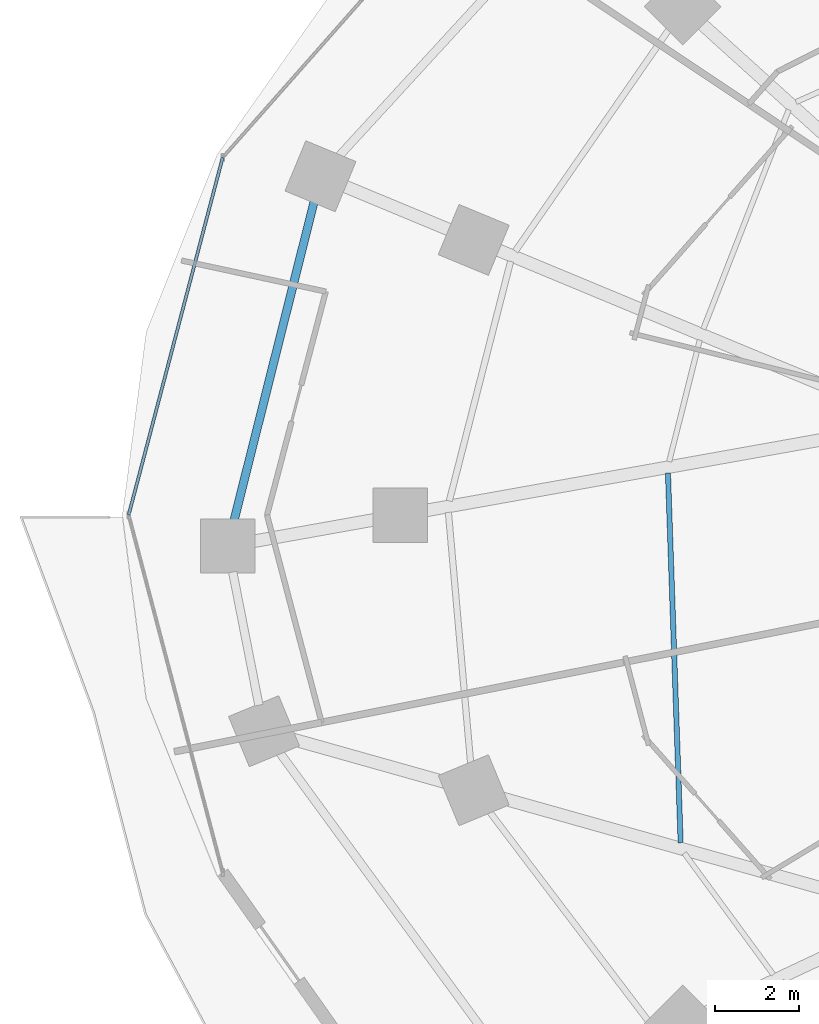
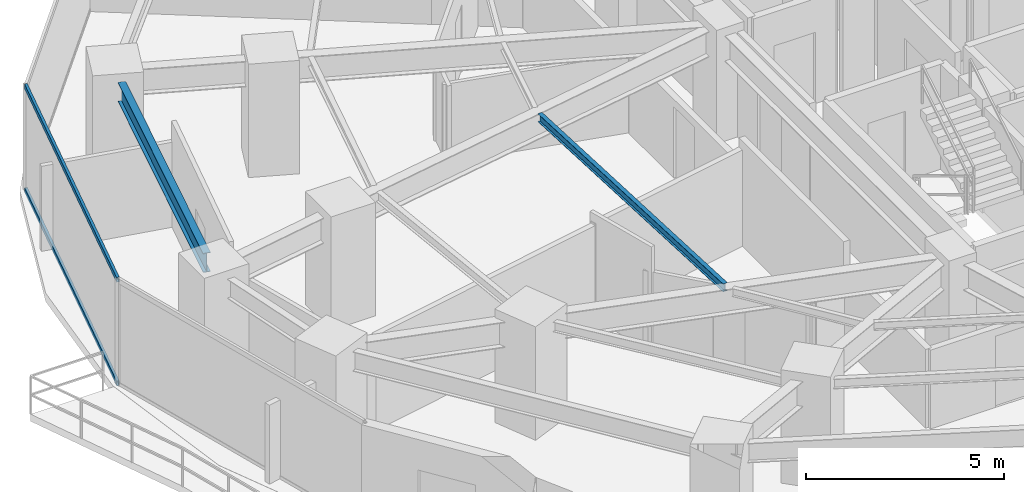
# One storey, part 8 of 33: 2 beams, 2 members, 1 element without a shape of its own.
"""IFC4 building model written with IfcOpenShell, lengths in metres."""

from ifc_helpers import new_model, si_unit, direction, frame, origin, origin_2d, place, context, subcontext, project, spatial, hollow_rectangle, i_section, extrude, material, material_profile, profile_set, type_object, element, aggregate, save


model = new_model("IFC4")

# Units and contexts
model_context = context("Model", 3, precision=1e-05, world=origin(), true_north=direction((0.0, 1.0)))
body_context = subcontext(model_context, "Body", "Model", "MODEL_VIEW")
ifc_project = project(units=[si_unit("LENGTHUNIT", "METRE"), si_unit("AREAUNIT", "SQUARE_METRE"), si_unit("VOLUMEUNIT", "CUBIC_METRE"), si_unit("PLANEANGLEUNIT", "RADIAN"), si_unit("MASSUNIT", "GRAM", prefix="KILO")], contexts=[model_context])

# Site, building, storey
site_placement = place(None, origin())
site = spatial("IfcSite", under=ifc_project, at=site_placement, CompositionType="ELEMENT")
building_placement = place(site_placement, origin())
building = spatial("IfcBuilding", under=site, at=building_placement, Name="Vorneva Point Tower", CompositionType="ELEMENT")
storey_placement = place(building_placement, frame((0.0, 0.0, 38.0)))
storey = spatial("IfcBuildingStorey", under=building, at=storey_placement, Name="L09", CompositionType="ELEMENT", Elevation=38.0)

# Beams
ifc_material_1 = material(Name="Steel S355", Category="steel")
ifc_material_profile_1 = material_profile(ifc_material_1, i_section(OverallWidth=0.1240234375, OverallDepth=0.248046875, WebThickness=0.0048828125, FlangeThickness=0.008056640625, at=origin_2d()), Name="25B1")
ifc_profile_set_1 = profile_set([ifc_material_profile_1], Name="Steel S355")
beam_type_1 = type_object("IfcBeamType", Name="BM-JST-25B1", PredefinedType="JOIST", material=ifc_profile_set_1)
beam_1_placement = place(storey_placement, frame((21.35107421875, 27.006103515625, 3.115966796875), z_axis=(0.034290300596, -0.99941191472, 0.0), x_axis=(0.99941191472, 0.034290300596, 0.0)))
element("IfcBeam", 1, at=beam_1_placement, inside=storey, type_object=beam_type_1, Name="L09 Secondary Floor Beam 2.09", PredefinedType="JOIST", context=body_context, shape_type="SweptSolid", body=[
    extrude(i_section(OverallWidth=0.1240234375, OverallDepth=0.248046875, WebThickness=0.0048828125, FlangeThickness=0.008056640625, at=origin_2d()), origin(), (0.0, 0.0, 1.0), 8.849853515625),
])
ifc_material_profile_2 = material_profile(ifc_material_1, i_section(OverallWidth=0.198974609375, OverallDepth=0.595947265625, WebThickness=0.010009765625, FlangeThickness=0.014892578125, at=origin_2d()), Name="60B1")
ifc_profile_set_2 = profile_set([ifc_material_profile_2], Name="Steel S355")
beam_type_2 = type_object("IfcBeamType", Name="BM-SPN-60B1", PredefinedType="SPANDREL", material=ifc_profile_set_2)
beam_2_placement = place(storey_placement, frame((12.884521484375, 33.489501953125, 2.94189453125), z_axis=(-0.243574722416, -0.969882134385, 0.0), x_axis=(0.969882134385, -0.243574722416, 0.0)))
element("IfcBeam", 2, at=beam_2_placement, inside=storey, type_object=beam_type_2, Name="L09 Perimeter Spandrel Ring Beam 08", PredefinedType="SPANDREL", context=body_context, shape_type="SweptSolid", body=[
    extrude(i_section(OverallWidth=0.198974609375, OverallDepth=0.595947265625, WebThickness=0.010009765625, FlangeThickness=0.014892578125, at=origin_2d()), origin(), (0.0, 0.0, 1.0), 7.84912109375),
])

# Curtain wall, members
ifc_material_2 = material(Name="Pale anodised aluminium", Category="aluminium")
curtain_wall_type = type_object("IfcCurtainWallType", Name="CW-HTL-SYS", PredefinedType="NOTDEFINED", material=ifc_material_2)
curtain_wall_placement = place(storey_placement, origin())
curtain_wall = element("IfcCurtainWall", 3, at=curtain_wall_placement, inside=storey, type_object=curtain_wall_type, Name="L09 Unitised Curtain Wall CW-L09-R03", PredefinedType="NOTDEFINED")
ifc_material_profile_3 = material_profile(ifc_material_2, hollow_rectangle(XDim=0.074951171875, YDim=0.14990234375, WallThickness=0.00390625, at=origin_2d()), Name="AL-TRN 150x75x4")
ifc_profile_set_3 = profile_set([ifc_material_profile_3], Name="Pale anodised aluminium")
member_type = type_object("IfcMemberType", Name="CW-TRN-150", PredefinedType="USERDEFINED", material=ifc_profile_set_3)
member_1_placement = place(storey_placement, frame((10.699462890625, 34.552978515625, 0.02001953125), z_axis=(-0.254358772746, -0.967109928978, 0.0), x_axis=(0.967109928978, -0.254358772746, 0.0)))
member_1 = element("IfcMember", 4, at=member_1_placement, type_object=member_type, Name="CW-L09-R03 Transom 02.1", ObjectType="TRANSOM", PredefinedType="USERDEFINED", context=body_context, shape_type="SweptSolid", body=[
    extrude(hollow_rectangle(XDim=0.074951171875, YDim=0.14990234375, WallThickness=0.00390625, at=origin_2d()), origin(), (0.0, 0.0, 1.0), 8.84375),
])
member_2_placement = place(storey_placement, frame((10.699462890625, 34.552978515625, 3.219970703125), z_axis=(-0.254358772746, -0.967109928978, 0.0), x_axis=(0.967109928978, -0.254358772746, 0.0)))
member_2 = element("IfcMember", 5, at=member_2_placement, type_object=member_type, Name="CW-L09-R03 Transom 02.2", ObjectType="TRANSOM", PredefinedType="USERDEFINED", context=body_context, shape_type="SweptSolid", body=[
    extrude(hollow_rectangle(XDim=0.074951171875, YDim=0.14990234375, WallThickness=0.00390625, at=origin_2d()), origin(), (0.0, 0.0, 1.0), 8.84375),
])
aggregate(curtain_wall, [member_1, member_2])

save(model, "model.ifc")
